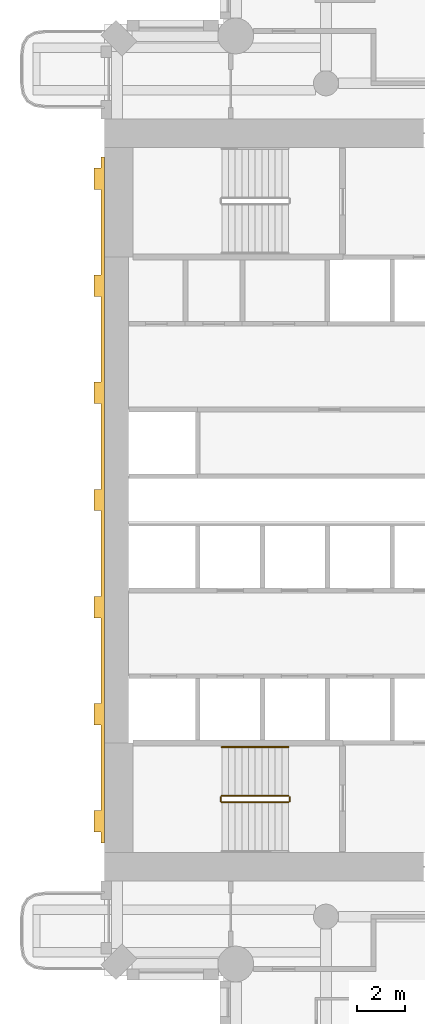
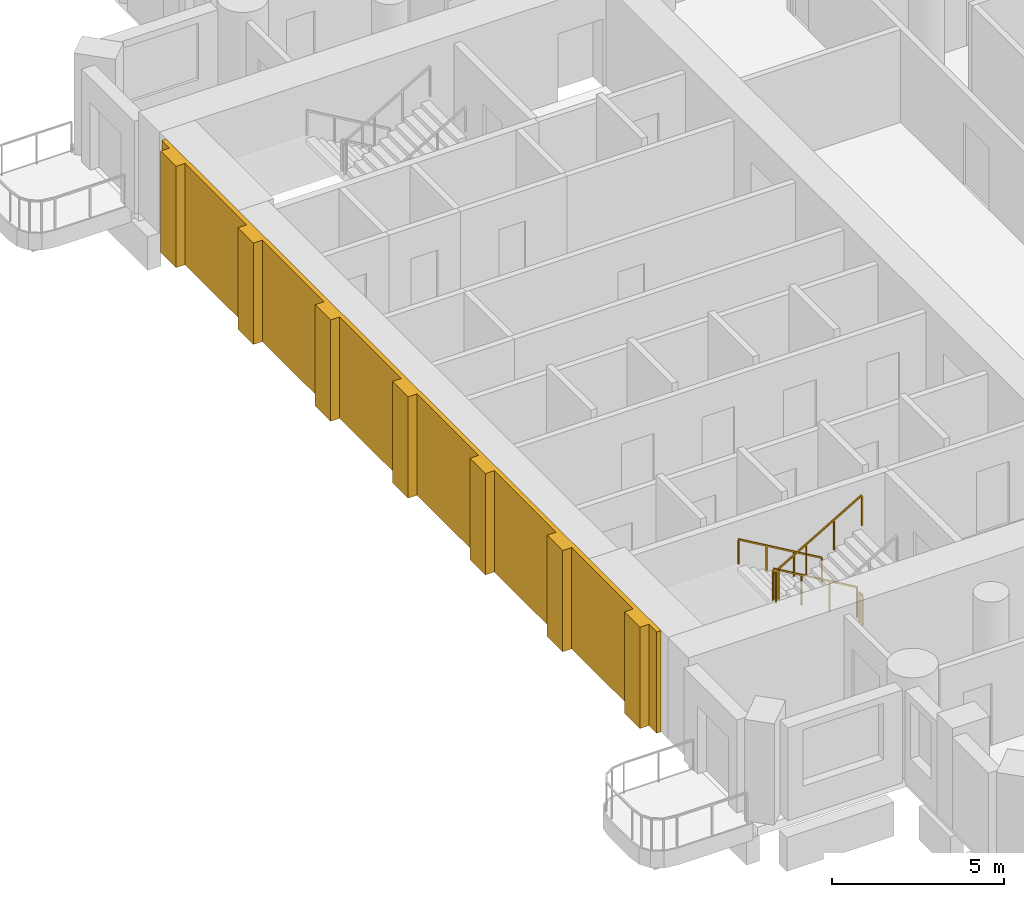
# One storey, part 14 of 20: 5 railings, 1 covering.
"""IFC4 building model written with IfcOpenShell, lengths in metres."""

from ifc_helpers import new_model, si_unit, direction, frame, origin, origin_2d, place, context, subcontext, project, spatial, polyline, rectangle, outline, extrude, material, layer, layer_set, type_object, element, save


model = new_model("IFC4")

# Units and contexts
model_context = context("Model", 3, precision=1e-05, world=origin(), true_north=direction((0.0, 1.0)))
body_context = subcontext(model_context, "Body", "Model", "MODEL_VIEW")
ifc_project = project(units=[si_unit("LENGTHUNIT", "METRE"), si_unit("AREAUNIT", "SQUARE_METRE"), si_unit("VOLUMEUNIT", "CUBIC_METRE"), si_unit("PLANEANGLEUNIT", "RADIAN"), si_unit("MASSUNIT", "GRAM", prefix="KILO")], contexts=[model_context])

# Site, building, storey
site_placement = place(None, origin())
site = spatial("IfcSite", under=ifc_project, at=site_placement, CompositionType="ELEMENT")
building_placement = place(site_placement, origin())
building = spatial("IfcBuilding", under=site, at=building_placement, Name="Cypress Arch Tower", CompositionType="ELEMENT")
storey_placement = place(building_placement, frame((0.0, 0.0, 109.5)))
storey = spatial("IfcBuildingStorey", under=building, at=storey_placement, Name="L22", CompositionType="ELEMENT", Elevation=109.5)

# Railings
ifc_material_1 = material(Name="Black powder-coated steel square bar 48 mm", Category="steel")
railing_type_1 = type_object("IfcRailingType", Name="Stair handrail HR1", PredefinedType="HANDRAIL", material=ifc_material_1)
railing_1_placement = place(storey_placement, frame((-22.27490234375, -10.375, 0.16357421875)))
element("IfcRailing", 1, at=railing_1_placement, inside=storey, type_object=railing_type_1, Name="L22 A stair handrail 1", PredefinedType="HANDRAIL", context=body_context, shape_type="SweptSolid", body=[
    extrude(rectangle(XDim=0.048095703125, YDim=0.048095703125, at=origin_2d()), frame((0.0, 0.0, 0.8759765625), z_axis=(-0.863360870873, 0.0, 0.504586966384), x_axis=(0.0, -1.0, 0.0)), (0.0, 0.0, 1.0), 3.2431640625),
    extrude(rectangle(XDim=0.0419921875, YDim=0.0419921875, at=origin_2d()), origin(), (0.0, 0.0, 1.0), 0.851806640625),
    extrude(rectangle(XDim=0.0419921875, YDim=0.0419921875, at=origin_2d()), frame((-0.933349609375, 0.0, 0.54541015625)), (0.0, 0.0, 1.0), 0.851806640625),
    extrude(rectangle(XDim=0.0419921875, YDim=0.0419921875, at=origin_2d()), frame((-1.86669921875, 0.0, 1.091064453125)), (0.0, 0.0, 1.0), 0.851806640625),
    extrude(rectangle(XDim=0.0419921875, YDim=0.0419921875, at=origin_2d()), frame((-2.800048828125, 0.0, 1.636474609375)), (0.0, 0.0, 1.0), 0.851806640625),
])
ifc_material_2 = material(Name="Black powder-coated steel balusters", Category="steel")
railing_type_2 = type_object("IfcRailingType", Name="Stair well guard G1", PredefinedType="GUARDRAIL", material=ifc_material_2)
railing_2_placement = place(storey_placement, frame((-22.27490234375, -12.425048828125, 0.16357421875)))
element("IfcRailing", 2, at=railing_2_placement, inside=storey, type_object=railing_type_2, Name="L22 A stair guard 1", PredefinedType="GUARDRAIL", context=body_context, shape_type="SweptSolid", body=[
    extrude(rectangle(XDim=0.048095703125, YDim=0.048095703125, at=origin_2d()), frame((0.0, 0.0, 1.076171875), z_axis=(-0.863360870873, 0.0, 0.504586966384), x_axis=(0.0, -1.0, 0.0)), (0.0, 0.0, 1.0), 3.2431640625),
    extrude(rectangle(XDim=0.0419921875, YDim=0.0419921875, at=origin_2d()), origin(), (0.0, 0.0, 1.0), 1.052001953125),
    extrude(rectangle(XDim=0.0419921875, YDim=0.0419921875, at=origin_2d()), frame((-0.933349609375, 0.0, 0.54541015625)), (0.0, 0.0, 1.0), 1.052001953125),
    extrude(rectangle(XDim=0.0419921875, YDim=0.0419921875, at=origin_2d()), frame((-1.86669921875, 0.0, 1.091064453125)), (0.0, 0.0, 1.0), 1.052001953125),
    extrude(rectangle(XDim=0.0419921875, YDim=0.0419921875, at=origin_2d()), frame((-2.800048828125, 0.0, 1.636474609375)), (0.0, 0.0, 1.0), 1.052001953125),
])
railing_3_placement = place(storey_placement, frame((-25.125, -12.47509765625, 1.800048828125)))
element("IfcRailing", 3, at=railing_3_placement, inside=storey, type_object=railing_type_2, Name="L22 A stair guard 2", PredefinedType="GUARDRAIL", context=body_context, shape_type="SweptSolid", body=[
    extrude(rectangle(XDim=0.048095703125, YDim=0.048095703125, at=origin_2d()), frame((0.0, 0.0, 1.076171875), z_axis=(0.0, -1.0, 0.0), x_axis=(1.0, 0.0, 0.0)), (0.0, 0.0, 1.0), 0.1748046875),
    extrude(rectangle(XDim=0.0419921875, YDim=0.0419921875, at=origin_2d()), origin(), (0.0, 0.0, 1.0), 1.052001953125),
    extrude(rectangle(XDim=0.0419921875, YDim=0.0419921875, at=origin_2d()), frame((0.0, -0.1748046875, 0.0)), (0.0, 0.0, 1.0), 1.052001953125),
])
railing_4_placement = place(storey_placement, frame((-25.074951171875, -12.699951171875, 1.963623046875)))
element("IfcRailing", 4, at=railing_4_placement, inside=storey, type_object=railing_type_2, Name="L22 A stair guard 3", PredefinedType="GUARDRAIL", context=body_context, shape_type="SweptSolid", body=[
    extrude(rectangle(XDim=0.048095703125, YDim=0.048095703125, at=origin_2d()), frame((0.0, 0.0, 1.076171875), z_axis=(0.863360870873, 0.0, 0.504586966384), x_axis=(0.0, 1.0, 0.0)), (0.0, 0.0, 1.0), 3.2431640625),
    extrude(rectangle(XDim=0.0419921875, YDim=0.0419921875, at=origin_2d()), origin(), (0.0, 0.0, 1.0), 1.052001953125),
    extrude(rectangle(XDim=0.0419921875, YDim=0.0419921875, at=origin_2d()), frame((0.933349609375, 0.0, 0.54541015625)), (0.0, 0.0, 1.0), 1.052001953125),
    extrude(rectangle(XDim=0.0419921875, YDim=0.0419921875, at=origin_2d()), frame((1.86669921875, 0.0, 1.091064453125)), (0.0, 0.0, 1.0), 1.052001953125),
    extrude(rectangle(XDim=0.0419921875, YDim=0.0419921875, at=origin_2d()), frame((2.800048828125, 0.0, 1.636474609375)), (0.0, 0.0, 1.0), 1.052001953125),
])
railing_5_placement = place(storey_placement, frame((-22.22509765625, -12.47509765625, 0.0)))
element("IfcRailing", 5, at=railing_5_placement, inside=storey, type_object=railing_type_2, Name="L22 A stair guard 4", PredefinedType="GUARDRAIL", context=body_context, shape_type="SweptSolid", body=[
    extrude(rectangle(XDim=0.048095703125, YDim=0.048095703125, at=origin_2d()), frame((0.0, 0.0, 1.076171875), z_axis=(0.0, -1.0, 0.0), x_axis=(1.0, 0.0, 0.0)), (0.0, 0.0, 1.0), 0.1748046875),
    extrude(rectangle(XDim=0.0419921875, YDim=0.0419921875, at=origin_2d()), origin(), (0.0, 0.0, 1.0), 1.052001953125),
    extrude(rectangle(XDim=0.0419921875, YDim=0.0419921875, at=origin_2d()), frame((0.0, -0.1748046875, 0.0)), (0.0, 0.0, 1.0), 1.052001953125),
])

# Covering
ifc_material_3 = material(Name="Brick (red buff blend)", Category="masonry")
ifc_layer = layer(ifc_material_3, 0.449951171875)
ifc_layer_set = layer_set([ifc_layer], Name="West face brick piers WP450")
covering_type = type_object("IfcCoveringType", Name="West face brick piers WP450", PredefinedType="CLADDING", material=ifc_layer_set)
covering_placement = place(storey_placement, origin())
element("IfcCovering", 6, at=covering_placement, inside=storey, type_object=covering_type, Name="West face brick piers L22", PredefinedType="CLADDING", context=body_context, shape_type="SweptSolid", body=[
    extrude(outline(polyline([(-30.14990234375, -13.050048828125), (-30.14990234375, -9.449951171875), (-30.449951171875, -9.449951171875), (-30.449951171875, -8.550048828125), (-30.14990234375, -8.550048828125), (-30.14990234375, -4.949951171875), (-30.449951171875, -4.949951171875), (-30.449951171875, -4.050048828125), (-30.14990234375, -4.050048828125), (-30.14990234375, -0.449951171875), (-30.449951171875, -0.449951171875), (-30.449951171875, 0.449951171875), (-30.14990234375, 0.449951171875), (-30.14990234375, 4.050048828125), (-30.449951171875, 4.050048828125), (-30.449951171875, 4.949951171875), (-30.14990234375, 4.949951171875), (-30.14990234375, 8.550048828125), (-30.449951171875, 8.550048828125), (-30.449951171875, 9.449951171875), (-30.14990234375, 9.449951171875), (-30.14990234375, 13.050048828125), (-30.449951171875, 13.050048828125), (-30.449951171875, 13.949951171875), (-30.14990234375, 13.949951171875), (-30.14990234375, 14.39990234375), (-30.0, 14.39990234375), (-30.0, -14.39990234375), (-30.14990234375, -14.39990234375), (-30.14990234375, -13.949951171875), (-30.449951171875, -13.949951171875), (-30.449951171875, -13.050048828125), (-30.14990234375, -13.050048828125)])), origin(), (0.0, 0.0, 1.0), 3.60009765625),
])

save(model, "model.ifc")
